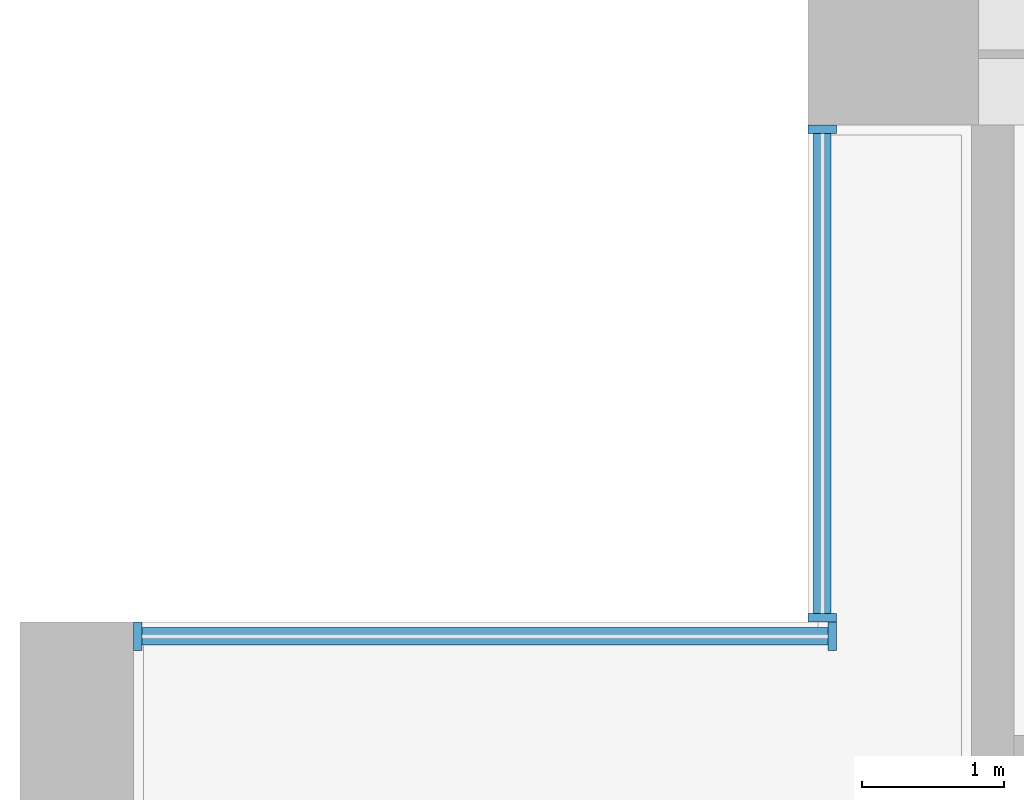
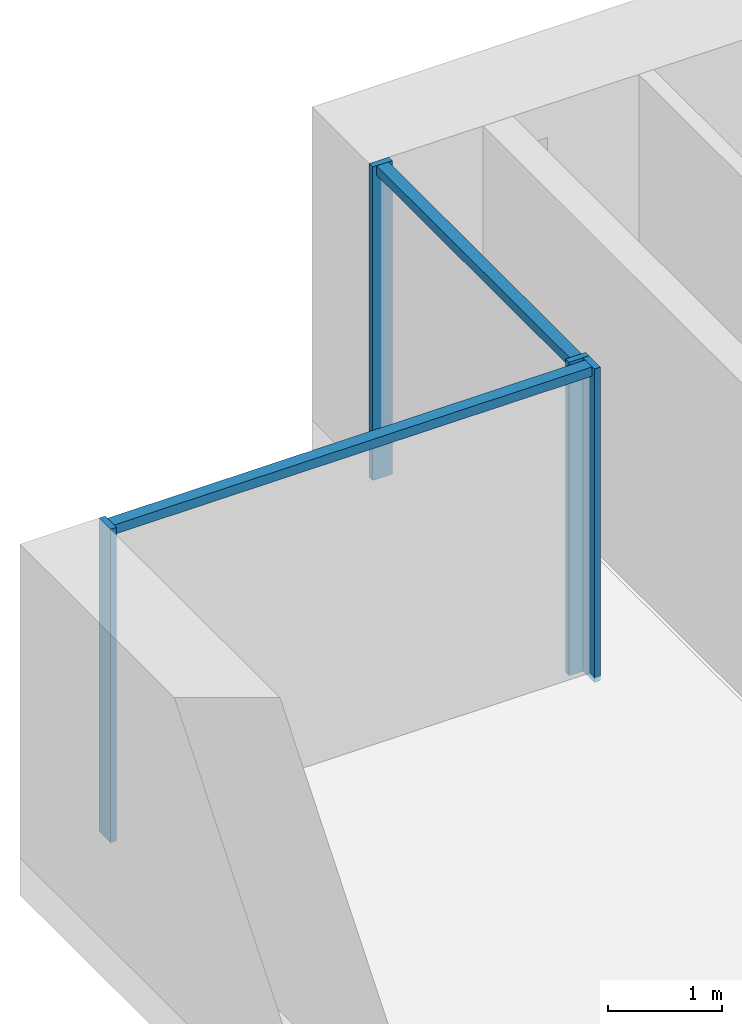
# One storey, part 4 of 17: 6 members, 2 elements without a shape of their own.
"""IFC4 building model written with IfcOpenShell, lengths in metres."""

from ifc_helpers import new_model, si_unit, direction, frame, origin, origin_2d, place, context, subcontext, project, spatial, rectangle, extrude, material, material_profile, profile_set, type_object, element, aggregate, save


model = new_model("IFC4")

# Units and contexts
model_context = context("Model", 3, precision=1e-05, world=origin(), true_north=direction((0.0, 1.0)))
body_context = subcontext(model_context, "Body", "Model", "MODEL_VIEW")
ifc_project = project(units=[si_unit("LENGTHUNIT", "METRE"), si_unit("AREAUNIT", "SQUARE_METRE"), si_unit("VOLUMEUNIT", "CUBIC_METRE"), si_unit("PLANEANGLEUNIT", "RADIAN"), si_unit("MASSUNIT", "GRAM", prefix="KILO")], contexts=[model_context])

# Site, building, storey
site_placement = place(None, origin())
site = spatial("IfcSite", under=ifc_project, at=site_placement, CompositionType="ELEMENT")
building_placement = place(site_placement, origin())
building = spatial("IfcBuilding", under=site, at=building_placement, Name="Calvaro Tower", CompositionType="ELEMENT")
storey_placement = place(building_placement, frame((0.0, 0.0, 71.25)))
storey = spatial("IfcBuildingStorey", under=building, at=storey_placement, Name="L17", CompositionType="ELEMENT", Elevation=71.25)

# Curtain wall, members
ifc_material_1 = material(Name="Anodised aluminium", Category="aluminium")
curtain_wall_type = type_object("IfcCurtainWallType", Name="Office curtain wall, lower zone", PredefinedType="NOTDEFINED", material=ifc_material_1)
curtain_wall_1_placement = place(storey_placement, origin())
curtain_wall_1 = element("IfcCurtainWall", 1, at=curtain_wall_1_placement, inside=storey, type_object=curtain_wall_type, Name="CW1 corner curtain wall", PredefinedType="NOTDEFINED")
ifc_material_2 = material(Name="Anodised aluminium", Category="aluminium")
ifc_material_profile_1 = material_profile(ifc_material_2, rectangle(XDim=0.199951171875, YDim=0.06005859375, at=origin_2d()), Name="Mullion S1 60 x 200")
ifc_profile_set_1 = profile_set([ifc_material_profile_1], Name="Anodised aluminium")
member_type_1 = type_object("IfcMemberType", Name="Mullion S1 60 x 200", PredefinedType="MULLION", material=ifc_profile_set_1)
member_1_placement = place(storey_placement, frame((5.64990234375, 41.530029296875, 0.0), z_axis=(0.0, 0.0, 1.0), x_axis=(-1.0, 0.0, 0.0)))
member_1 = element("IfcMember", 2, at=member_1_placement, type_object=member_type_1, Name="CW1 mullion 1", PredefinedType="MULLION", context=body_context, shape_type="SweptSolid", body=[
    extrude(rectangle(XDim=0.199951171875, YDim=0.06005859375, at=origin_2d()), origin(), (0.0, 0.0, 1.0), 3.35009765625),
])
member_2_placement = place(storey_placement, frame((5.64990234375, 44.969970703125, 0.0), z_axis=(0.0, 0.0, 1.0), x_axis=(-1.0, 0.0, 0.0)))
member_2 = element("IfcMember", 3, at=member_2_placement, type_object=member_type_1, Name="CW1 mullion 2", PredefinedType="MULLION", context=body_context, shape_type="SweptSolid", body=[
    extrude(rectangle(XDim=0.199951171875, YDim=0.06005859375, at=origin_2d()), origin(), (0.0, 0.0, 1.0), 3.35009765625),
])

curtain_wall_2_placement = place(storey_placement, origin())
curtain_wall_2 = element("IfcCurtainWall", 4, at=curtain_wall_2_placement, inside=storey, type_object=curtain_wall_type, Name="CW1 corner curtain wall", PredefinedType="NOTDEFINED")
member_3_placement = place(storey_placement, frame((0.830078125, 41.39990234375, 0.0), z_axis=(0.0, 0.0, 1.0), x_axis=(0.0, 1.0, 0.0)))
member_3 = element("IfcMember", 5, at=member_3_placement, type_object=member_type_1, Name="CW1 mullion 1", PredefinedType="MULLION", context=body_context, shape_type="SweptSolid", body=[
    extrude(rectangle(XDim=0.199951171875, YDim=0.06005859375, at=origin_2d()), origin(), (0.0, 0.0, 1.0), 3.35009765625),
])
member_4_placement = place(storey_placement, frame((5.719970703125, 41.39990234375, 0.0), z_axis=(0.0, 0.0, 1.0), x_axis=(0.0, 1.0, 0.0)))
member_4 = element("IfcMember", 6, at=member_4_placement, type_object=member_type_1, Name="CW1 mullion 2", PredefinedType="MULLION", context=body_context, shape_type="SweptSolid", body=[
    extrude(rectangle(XDim=0.199951171875, YDim=0.06005859375, at=origin_2d()), origin(), (0.0, 0.0, 1.0), 3.35009765625),
])

# Member
ifc_material_3 = material(Name="Anodised aluminium", Category="aluminium")
ifc_material_profile_2 = material_profile(ifc_material_3, rectangle(XDim=0.1201171875, YDim=0.10009765625, at=origin_2d()), Name="Transom S1 100 x 120")
ifc_profile_set_2 = profile_set([ifc_material_profile_2], Name="Anodised aluminium")
member_type_2 = type_object("IfcMemberType", Name="Transom S1 100 x 120", PredefinedType="USERDEFINED", material=ifc_profile_set_2)
member_5_placement = place(storey_placement, frame((5.64990234375, 41.56005859375, 3.300048828125), z_axis=(0.0, 1.0, 0.0), x_axis=(-1.0, 0.0, 0.0)))
member_5 = element("IfcMember", 7, at=member_5_placement, type_object=member_type_2, Name="CW1 transom 1.1", ObjectType="TRANSOM", PredefinedType="USERDEFINED", context=body_context, shape_type="SweptSolid", body=[
    extrude(rectangle(XDim=0.1201171875, YDim=0.10009765625, at=origin_2d()), origin(), (0.0, 0.0, 1.0), 3.3798828125),
])

aggregate(curtain_wall_1, [member_1, member_2, member_5])

member_6_placement = place(storey_placement, frame((0.860107421875, 41.39990234375, 3.300048828125), z_axis=(1.0, 0.0, 0.0), x_axis=(0.0, 1.0, 0.0)))
member_6 = element("IfcMember", 8, at=member_6_placement, type_object=member_type_2, Name="CW1 transom 1.1", ObjectType="TRANSOM", PredefinedType="USERDEFINED", context=body_context, shape_type="SweptSolid", body=[
    extrude(rectangle(XDim=0.1201171875, YDim=0.10009765625, at=origin_2d()), origin(), (0.0, 0.0, 1.0), 4.829833984375),
])

aggregate(curtain_wall_2, [member_3, member_4, member_6])

save(model, "model.ifc")
